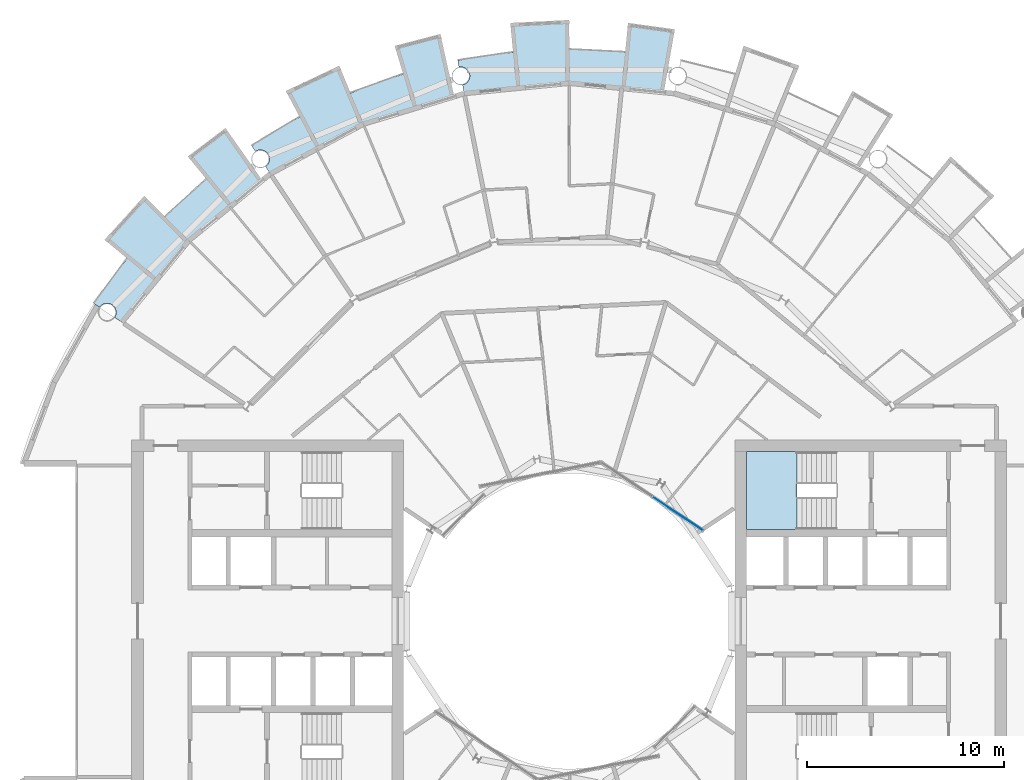
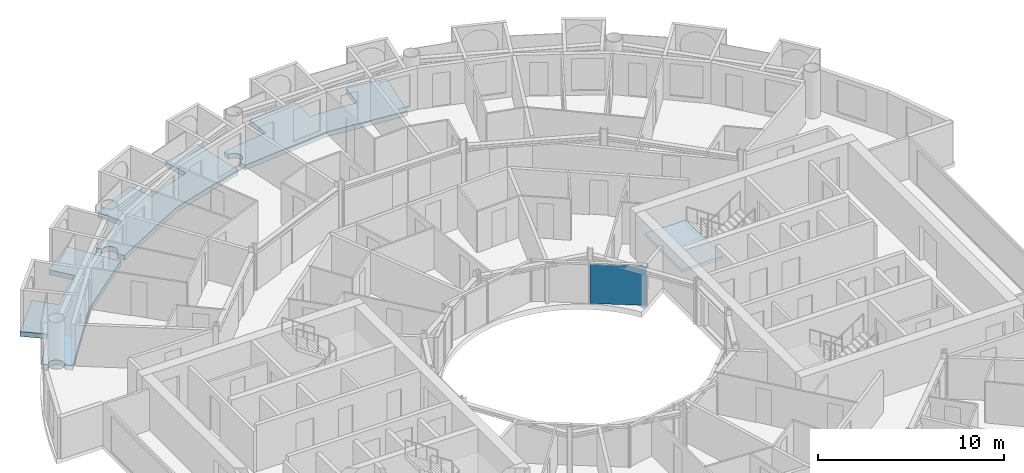
# One storey, part 12 of 27: 4 slabs, 1 plate, 2 elements without a shape of their own.
"""IFC4 building model written with IfcOpenShell, lengths in metres."""

from ifc_helpers import new_model, si_unit, direction, frame, origin, origin_2d, place, context, subcontext, project, spatial, polyline, rectangle, outline, extrude, material, layer, layer_set, type_object, element, aggregate, save


model = new_model("IFC4")

# Units and contexts
model_context = context("Model", 3, precision=1e-05, world=origin(), true_north=direction((0.0, 1.0)))
body_context = subcontext(model_context, "Body", "Model", "MODEL_VIEW")
ifc_project = project(units=[si_unit("LENGTHUNIT", "METRE"), si_unit("AREAUNIT", "SQUARE_METRE"), si_unit("VOLUMEUNIT", "CUBIC_METRE"), si_unit("PLANEANGLEUNIT", "RADIAN"), si_unit("MASSUNIT", "GRAM", prefix="KILO")], contexts=[model_context])

# Site, building, storey
site_placement = place(None, origin())
site = spatial("IfcSite", under=ifc_project, at=site_placement, CompositionType="ELEMENT")
building_placement = place(site_placement, origin())
building = spatial("IfcBuilding", under=site, at=building_placement, Name="Maasbend Ring Residences", CompositionType="ELEMENT")
storey_placement = place(building_placement, frame((0.0, 0.0, 111.64990234375)))
storey = spatial("IfcBuildingStorey", under=building, at=storey_placement, Name="L31", CompositionType="ELEMENT", Elevation=111.64990234375)

# Stair, slab
ifc_material_1 = material(Name="Concrete C40/50", Category="concrete")
stair_type = type_object("IfcStairType", Name="CORE STAIR 18 RISERS", PredefinedType="HALF_TURN_STAIR", material=ifc_material_1)
stair_placement = place(storey_placement, origin())
stair = element("IfcStair", 1, at=stair_placement, inside=storey, type_object=stair_type, Name="L31 Exit stair ST-E1", PredefinedType="HALF_TURN_STAIR")
ifc_material_2 = material(Name="Concrete C40/50", Category="concrete")
ifc_layer_1 = layer(ifc_material_2, 0.199951171875)
ifc_layer_set_1 = layer_set([ifc_layer_1], Name="Concrete C40/50")
slab_type_1 = type_object("IfcSlabType", Name="CORE STAIR LANDING 200", PredefinedType="LANDING", material=ifc_layer_set_1)
slab_1_placement = place(storey_placement, frame((0.0, 0.0, 1.3251953125)))
slab_1 = element("IfcSlab", 2, at=slab_1_placement, type_object=slab_type_1, Name="ST-E1 landing 1", PredefinedType="LANDING", context=body_context, shape_type="SweptSolid", body=[
    extrude(outline(polyline([(11.550048828125, 8.60009765625), (9.0, 8.60009765625), (9.0, 4.64990234375), (11.550048828125, 4.64990234375), (11.550048828125, 8.60009765625)])), origin(), (0.0, 0.0, 1.0), 0.199951171875),
])
aggregate(stair, [slab_1])

# Curtain wall, plate
ifc_material_3 = material(Name="Aluminium and clear glass", Category="aluminium")
ifc_layer_2 = layer(ifc_material_3, 0.179931640625)
ifc_layer_set_2 = layer_set([ifc_layer_2], Name="CW-W")
curtain_wall_type = type_object("IfcCurtainWallType", Name="CW-W", PredefinedType="NOTDEFINED", material=ifc_layer_set_2)
curtain_wall_placement = place(storey_placement, origin())
curtain_wall = element("IfcCurtainWall", 3, at=curtain_wall_placement, inside=storey, type_object=curtain_wall_type, Name="Well curtain wall N1", PredefinedType="NOTDEFINED")
ifc_material_4 = material(Name="Glass clear laminated", Category="glass")
ifc_layer_3 = layer(ifc_material_4, 0.031982421875)
ifc_layer_set_3 = layer_set([ifc_layer_3], Name="CWP-W")
plate_type = type_object("IfcPlateType", Name="CWP-W", PredefinedType="CURTAIN_PANEL", material=ifc_layer_set_3)
plate_placement = place(storey_placement, frame((5.51123046875, 5.44580078125, 0.0), z_axis=(0.0, 0.0, 1.0), x_axis=(-0.831469612303, 0.55557023302, 0.0)))
plate = element("IfcPlate", 4, at=plate_placement, type_object=plate_type, Name="Glass panel well face", PredefinedType="CURTAIN_PANEL", context=body_context, shape_type="SweptSolid", body=[
    extrude(rectangle(XDim=3.053955078125, YDim=0.031982421875, at=origin_2d()), origin(), (0.0, 0.0, 1.0), 2.580078125),
])
aggregate(curtain_wall, [plate])

# Slabs
ifc_material_5 = material(Name="Concrete C40/50", Category="concrete")
ifc_layer_4 = layer(ifc_material_5, 0.199951171875)
ifc_layer_set_4 = layer_set([ifc_layer_4], Name="Concrete C40/50")
slab_type_2 = type_object("IfcSlabType", Name="SL-LOGGIA", PredefinedType="FLOOR", material=ifc_layer_set_4)
slab_2_placement = place(storey_placement, frame((0.0, 0.0, -0.349853515625)))
element("IfcSlab", 5, at=slab_2_placement, inside=storey, type_object=slab_type_2, Name="Loggia floor 1", PredefinedType="FLOOR", context=body_context, shape_type="SweptSolid", body=[
    extrude(outline(polyline([(-14.5, 25.114990234375), (-13.6708984375, 25.574951171875), (-13.6708984375, 25.575927734375), (-13.6708984375, 25.575927734375), (-13.6708984375, 25.575927734375), (-13.6708984375, 25.575927734375), (-13.6708984375, 25.575927734375), (-13.6708984375, 25.575927734375), (-13.6708984375, 25.575927734375), (-13.6708984375, 25.575927734375), (-13.6708984375, 25.575927734375), (-13.6708984375, 25.575927734375), (-13.6708984375, 25.575927734375), (-13.6708984375, 25.575927734375), (-13.6708984375, 25.575927734375), (-13.6708984375, 25.575927734375), (-13.6708984375, 25.575927734375), (-13.6708984375, 25.575927734375), (-14.3779296875, 26.89892578125), (-14.3779296875, 26.89892578125), (-14.3779296875, 26.89892578125), (-11.672119140625, 28.177978515625), (-11.672119140625, 28.177978515625), (-11.672119140625, 28.177978515625), (-11.097900390625, 26.79296875), (-11.097900390625, 26.79296875), (-11.097900390625, 26.79296875), (-11.097900390625, 26.79296875), (-11.097900390625, 26.79296875), (-11.097900390625, 26.79296875), (-11.097900390625, 26.79296875), (-11.097900390625, 26.79296875), (-11.097900390625, 26.79296875), (-11.097900390625, 26.79296875), (-11.097900390625, 26.79296875), (-11.097900390625, 26.79296875), (-11.097900390625, 26.79296875), (-11.097900390625, 26.79296875), (-11.096923828125, 26.79296875), (-11.096923828125, 26.79296875), (-11.096923828125, 26.79296875), (-10.215087890625, 27.14111328125), (-10.215087890625, 27.14111328125), (-9.322021484375, 27.4609375), (-9.322021484375, 27.4609375), (-8.4189453125, 27.7509765625), (-8.4189453125, 27.7509765625), (-8.4189453125, 27.7509765625), (-8.4189453125, 27.7509765625), (-8.4189453125, 27.7509765625), (-8.4189453125, 27.7509765625), (-8.41796875, 27.7509765625), (-8.41796875, 27.7509765625), (-8.41796875, 27.7509765625), (-8.41796875, 27.7509765625), (-8.41796875, 27.7509765625), (-8.41796875, 27.751953125), (-8.41796875, 27.751953125), (-8.41796875, 27.751953125), (-8.41796875, 27.751953125), (-8.41796875, 27.751953125), (-8.41796875, 27.751953125), (-8.85400390625, 29.18701171875), (-8.85400390625, 29.18701171875), (-8.85400390625, 29.18701171875), (-6.5400390625, 29.791015625), (-6.5400390625, 29.791015625), (-6.5400390625, 29.791015625), (-5.843994140625, 26.617919921875), (-5.843994140625, 26.617919921875), (-5.843994140625, 26.617919921875), (-7.886962890625, 25.9990234375), (-10.447021484375, 25.221923828125), (-10.447021484375, 25.221923828125), (-10.447021484375, 25.221923828125), (-12.806884765625, 23.9609375), (-15.1669921875, 22.698974609375), (-15.1669921875, 22.698974609375), (-15.1669921875, 22.698974609375), (-15.4130859375, 23.06689453125), (-15.404052734375, 23.073974609375), (-15.39501953125, 23.080078125), (-15.385986328125, 23.0869140625), (-15.376953125, 23.093994140625), (-15.368896484375, 23.10107421875), (-15.360107421875, 23.10888671875), (-15.35205078125, 23.115966796875), (-15.343994140625, 23.1240234375), (-15.3359375, 23.132080078125), (-15.327880859375, 23.139892578125), (-15.321044921875, 23.14892578125), (-15.31396484375, 23.156982421875), (-15.306884765625, 23.166015625), (-15.300048828125, 23.175048828125), (-15.29296875, 23.18408203125), (-15.287109375, 23.194091796875), (-15.281005859375, 23.202880859375), (-15.27490234375, 23.2119140625), (-15.26904296875, 23.221923828125), (-15.263916015625, 23.23193359375), (-15.259033203125, 23.241943359375), (-15.25390625, 23.251953125), (-15.2490234375, 23.261962890625), (-15.2451171875, 23.27294921875), (-15.240966796875, 23.282958984375), (-15.237060546875, 23.29296875), (-15.23291015625, 23.303955078125), (-15.22998046875, 23.31494140625), (-15.22705078125, 23.325927734375), (-15.22412109375, 23.3359375), (-15.220947265625, 23.346923828125), (-15.218994140625, 23.35791015625), (-15.217041015625, 23.368896484375), (-15.215087890625, 23.3798828125), (-15.214111328125, 23.39111328125), (-15.2119140625, 23.403076171875), (-15.2109375, 23.4140625), (-15.2109375, 23.425048828125), (-15.2099609375, 23.43603515625), (-15.2099609375, 23.447021484375), (-15.2099609375, 23.458984375), (-15.2109375, 23.469970703125), (-15.2109375, 23.48095703125), (-15.2119140625, 23.491943359375), (-15.214111328125, 23.5029296875), (-15.215087890625, 23.513916015625), (-15.217041015625, 23.52587890625), (-15.218994140625, 23.537109375), (-15.220947265625, 23.548095703125), (-15.22412109375, 23.55810546875), (-15.22705078125, 23.569091796875), (-15.22998046875, 23.580078125), (-15.23291015625, 23.591064453125), (-15.237060546875, 23.60107421875), (-15.240966796875, 23.612060546875), (-15.2451171875, 23.6220703125), (-15.2490234375, 23.633056640625), (-15.25390625, 23.64306640625), (-15.259033203125, 23.653076171875), (-15.263916015625, 23.6630859375), (-15.26904296875, 23.673095703125), (-15.27490234375, 23.681884765625), (-15.281005859375, 23.69189453125), (-15.287109375, 23.700927734375), (-15.29296875, 23.7109375), (-15.300048828125, 23.719970703125), (-15.306884765625, 23.72900390625), (-15.31396484375, 23.737060546875), (-15.321044921875, 23.74609375), (-15.327880859375, 23.75390625), (-15.3359375, 23.762939453125), (-15.343994140625, 23.77099609375), (-15.35205078125, 23.778076171875), (-15.360107421875, 23.785888671875), (-15.368896484375, 23.79296875), (-15.376953125, 23.801025390625), (-15.385986328125, 23.80810546875), (-15.39501953125, 23.81396484375), (-15.404052734375, 23.821044921875), (-15.4130859375, 23.826904296875), (-15.423095703125, 23.8330078125), (-15.431884765625, 23.839111328125), (-15.44189453125, 23.844970703125), (-15.451904296875, 23.85009765625), (-15.4619140625, 23.85595703125), (-15.471923828125, 23.861083984375), (-15.48193359375, 23.864990234375), (-15.491943359375, 23.8701171875), (-15.5029296875, 23.8740234375), (-15.512939453125, 23.8779296875), (-15.52392578125, 23.881103515625), (-15.533935546875, 23.885009765625), (-15.544921875, 23.887939453125), (-15.555908203125, 23.89111328125), (-15.56689453125, 23.89306640625), (-15.577880859375, 23.89599609375), (-15.589111328125, 23.89794921875), (-15.60009765625, 23.89892578125), (-15.611083984375, 23.90087890625), (-15.6220703125, 23.902099609375), (-15.633056640625, 23.903076171875), (-15.64501953125, 23.904052734375), (-15.656005859375, 23.904052734375), (-15.6669921875, 23.904052734375), (-15.677978515625, 23.904052734375), (-15.68994140625, 23.904052734375), (-15.700927734375, 23.903076171875), (-15.7119140625, 23.902099609375), (-15.722900390625, 23.90087890625), (-15.73388671875, 23.89892578125), (-15.7451171875, 23.89794921875), (-15.756103515625, 23.89599609375), (-15.76708984375, 23.89306640625), (-15.778076171875, 23.89111328125), (-15.7890625, 23.887939453125), (-15.800048828125, 23.885009765625), (-15.81005859375, 23.881103515625), (-15.821044921875, 23.8779296875), (-15.83203125, 23.8740234375), (-15.842041015625, 23.8701171875), (-15.85205078125, 23.864990234375), (-15.862060546875, 23.861083984375), (-15.873046875, 23.85595703125), (-15.883056640625, 23.85009765625), (-15.89208984375, 23.844970703125), (-15.902099609375, 23.839111328125), (-15.912109375, 23.8330078125), (-15.9208984375, 23.826904296875), (-16.112060546875, 24.113037109375), (-16.112060546875, 24.113037109375), (-16.112060546875, 24.113037109375), (-15.31396484375, 24.626953125), (-15.31396484375, 24.626953125), (-14.5, 25.114990234375), (-14.5, 25.114990234375)])), origin(), (0.0, 0.0, 1.0), 0.320068359375),
])
slab_3_placement = place(storey_placement, frame((0.0, 0.0, -0.349853515625)))
element("IfcSlab", 6, at=slab_3_placement, inside=storey, type_object=slab_type_2, Name="Loggia floor 3", PredefinedType="FLOOR", context=body_context, shape_type="SweptSolid", body=[
    extrude(outline(polyline([(-3.784912109375, 28.751953125), (-2.843017578125, 28.860107421875), (-2.843017578125, 28.860107421875), (-2.843017578125, 28.860107421875), (-2.843017578125, 28.860107421875), (-2.843017578125, 28.860107421875), (-2.843017578125, 28.860107421875), (-2.843017578125, 28.860107421875), (-2.843017578125, 28.860107421875), (-2.843017578125, 28.860107421875), (-2.843017578125, 28.861083984375), (-2.843017578125, 28.861083984375), (-2.843017578125, 28.861083984375), (-2.843017578125, 28.861083984375), (-2.843017578125, 28.861083984375), (-2.843017578125, 28.861083984375), (-2.843017578125, 28.861083984375), (-2.843017578125, 28.861083984375), (-2.989990234375, 30.35302734375), (-2.989990234375, 30.35302734375), (-2.989990234375, 30.35302734375), (0.0, 30.5), (0.0, 30.5), (0.0, 30.5), (0.0, 29.0), (0.0, 29.0), (0.0, 29.0), (0.0, 29.0), (0.0, 29.0), (0.0, 29.0), (0.0, 29.0), (0.0, 29.0), (0.0, 29.0), (0.0, 29.0), (0.0, 29.0), (0.0, 29.0), (0.0, 29.0), (0.0, 29.0), (0.0, 29.0), (0.0, 29.0), (0.0, 29.0), (0.948974609375, 28.98388671875), (0.948974609375, 28.98388671875), (1.89697265625, 28.93798828125), (1.89697265625, 28.93798828125), (2.842041015625, 28.860107421875), (2.842041015625, 28.860107421875), (2.842041015625, 28.860107421875), (2.842041015625, 28.860107421875), (2.842041015625, 28.860107421875), (2.842041015625, 28.860107421875), (2.842041015625, 28.860107421875), (2.842041015625, 28.860107421875), (2.842041015625, 28.861083984375), (2.842041015625, 28.861083984375), (2.842041015625, 28.861083984375), (2.842041015625, 28.861083984375), (2.842041015625, 28.861083984375), (2.843017578125, 28.861083984375), (2.843017578125, 28.861083984375), (2.843017578125, 28.861083984375), (2.843017578125, 28.861083984375), (2.989990234375, 30.35302734375), (2.989990234375, 30.35302734375), (2.989990234375, 30.35302734375), (5.35791015625, 30.02587890625), (5.35791015625, 30.02587890625), (5.35791015625, 30.02587890625), (4.7880859375, 26.827880859375), (4.7880859375, 26.827880859375), (4.7880859375, 26.827880859375), (2.6630859375, 27.0380859375), (0.0, 27.300048828125), (0.0, 27.300048828125), (0.0, 27.300048828125), (-2.6630859375, 27.0380859375), (-5.325927734375, 26.77490234375), (-5.325927734375, 26.77490234375), (-5.325927734375, 26.77490234375), (-5.412109375, 27.2099609375), (-5.412109375, 27.2099609375), (-5.40087890625, 27.2119140625), (-5.389892578125, 27.215087890625), (-5.3798828125, 27.218017578125), (-5.368896484375, 27.220947265625), (-5.35791015625, 27.22412109375), (-5.347900390625, 27.22802734375), (-5.3369140625, 27.23193359375), (-5.326904296875, 27.236083984375), (-5.31591796875, 27.239990234375), (-5.305908203125, 27.2451171875), (-5.2958984375, 27.25), (-5.285888671875, 27.2548828125), (-5.27587890625, 27.260009765625), (-5.26708984375, 27.26611328125), (-5.257080078125, 27.27197265625), (-5.248046875, 27.278076171875), (-5.238037109375, 27.283935546875), (-5.22900390625, 27.291015625), (-5.219970703125, 27.298095703125), (-5.2119140625, 27.304931640625), (-5.202880859375, 27.31201171875), (-5.195068359375, 27.319091796875), (-5.18603515625, 27.326904296875), (-5.177978515625, 27.3349609375), (-5.1708984375, 27.343017578125), (-5.1630859375, 27.35107421875), (-5.155029296875, 27.360107421875), (-5.14794921875, 27.367919921875), (-5.14111328125, 27.376953125), (-5.134033203125, 27.385986328125), (-5.1279296875, 27.39501953125), (-5.1220703125, 27.404052734375), (-5.114990234375, 27.4140625), (-5.110107421875, 27.423095703125), (-5.10400390625, 27.43310546875), (-5.097900390625, 27.443115234375), (-5.093017578125, 27.452880859375), (-5.087890625, 27.462890625), (-5.083984375, 27.472900390625), (-5.0791015625, 27.48291015625), (-5.074951171875, 27.493896484375), (-5.071044921875, 27.50390625), (-5.068115234375, 27.514892578125), (-5.06396484375, 27.52490234375), (-5.06103515625, 27.535888671875), (-5.05810546875, 27.547119140625), (-5.055908203125, 27.55810546875), (-5.052978515625, 27.569091796875), (-5.051025390625, 27.580078125), (-5.049072265625, 27.591064453125), (-5.048095703125, 27.60205078125), (-5.047119140625, 27.613037109375), (-5.0458984375, 27.6240234375), (-5.044921875, 27.635986328125), (-5.044921875, 27.64697265625), (-5.044921875, 27.657958984375), (-5.044921875, 27.6689453125), (-5.044921875, 27.680908203125), (-5.0458984375, 27.69189453125), (-5.047119140625, 27.702880859375), (-5.048095703125, 27.714111328125), (-5.049072265625, 27.72509765625), (-5.051025390625, 27.736083984375), (-5.052978515625, 27.7470703125), (-5.055908203125, 27.758056640625), (-5.05810546875, 27.76904296875), (-5.06103515625, 27.780029296875), (-5.06396484375, 27.791015625), (-5.068115234375, 27.801025390625), (-5.071044921875, 27.81201171875), (-5.074951171875, 27.822998046875), (-5.0791015625, 27.8330078125), (-5.083984375, 27.843017578125), (-5.087890625, 27.85302734375), (-5.093017578125, 27.864013671875), (-5.097900390625, 27.8740234375), (-5.10400390625, 27.883056640625), (-5.110107421875, 27.89306640625), (-5.114990234375, 27.903076171875), (-5.1220703125, 27.912109375), (-5.1279296875, 27.9208984375), (-5.134033203125, 27.929931640625), (-5.14111328125, 27.93896484375), (-5.14794921875, 27.947998046875), (-5.155029296875, 27.95703125), (-5.1630859375, 27.965087890625), (-5.1708984375, 27.972900390625), (-5.177978515625, 27.98095703125), (-5.18603515625, 27.989013671875), (-5.195068359375, 27.9970703125), (-5.202880859375, 28.00390625), (-5.2119140625, 28.010986328125), (-5.219970703125, 28.01806640625), (-5.22900390625, 28.02490234375), (-5.238037109375, 28.031982421875), (-5.248046875, 28.0380859375), (-5.257080078125, 28.0439453125), (-5.26708984375, 28.050048828125), (-5.27587890625, 28.055908203125), (-5.285888671875, 28.06103515625), (-5.2958984375, 28.06591796875), (-5.305908203125, 28.071044921875), (-5.31591796875, 28.075927734375), (-5.326904296875, 28.080078125), (-5.3369140625, 28.083984375), (-5.347900390625, 28.087890625), (-5.35791015625, 28.092041015625), (-5.368896484375, 28.094970703125), (-5.3798828125, 28.09912109375), (-5.389892578125, 28.10107421875), (-5.40087890625, 28.10400390625), (-5.412109375, 28.10595703125), (-5.423095703125, 28.10791015625), (-5.43408203125, 28.110107421875), (-5.446044921875, 28.112060546875), (-5.45703125, 28.113037109375), (-5.468017578125, 28.114013671875), (-5.47900390625, 28.114990234375), (-5.489990234375, 28.114990234375), (-5.501953125, 28.114990234375), (-5.512939453125, 28.114990234375), (-5.52392578125, 28.114990234375), (-5.534912109375, 28.114013671875), (-5.5458984375, 28.113037109375), (-5.556884765625, 28.112060546875), (-5.569091796875, 28.110107421875), (-5.580078125, 28.10791015625), (-5.591064453125, 28.10595703125), (-5.591064453125, 28.10595703125), (-5.657958984375, 28.443115234375), (-5.657958984375, 28.443115234375), (-5.657958984375, 28.443115234375), (-4.72412109375, 28.613037109375), (-4.72412109375, 28.613037109375), (-3.784912109375, 28.751953125), (-3.784912109375, 28.751953125)])), origin(), (0.0, 0.0, 1.0), 0.320068359375),
])
slab_4_placement = place(storey_placement, frame((0.0, 0.0, -0.349853515625)))
element("IfcSlab", 7, at=slab_4_placement, inside=storey, type_object=slab_type_2, Name="Loggia floor 4", PredefinedType="FLOOR", context=body_context, shape_type="SweptSolid", body=[
    extrude(outline(polyline([(-23.007080078125, 17.654052734375), (-22.41796875, 18.39697265625), (-22.41796875, 18.39697265625), (-22.41796875, 18.39697265625), (-22.41796875, 18.39697265625), (-22.41796875, 18.39697265625), (-22.41796875, 18.39697265625), (-22.41796875, 18.39697265625), (-22.41796875, 18.39697265625), (-22.41796875, 18.39697265625), (-22.41796875, 18.39697265625), (-22.41796875, 18.39697265625), (-22.41796875, 18.39794921875), (-22.41796875, 18.39794921875), (-22.41796875, 18.39794921875), (-22.41796875, 18.39794921875), (-22.41796875, 18.39794921875), (-22.41796875, 18.39794921875), (-23.576904296875, 19.34912109375), (-23.576904296875, 19.34912109375), (-23.576904296875, 19.34912109375), (-21.56689453125, 21.56689453125), (-21.56689453125, 21.56689453125), (-21.56689453125, 21.56689453125), (-20.506103515625, 20.506103515625), (-20.506103515625, 20.506103515625), (-20.506103515625, 20.506103515625), (-20.506103515625, 20.506103515625), (-20.506103515625, 20.506103515625), (-20.506103515625, 20.506103515625), (-20.506103515625, 20.506103515625), (-20.506103515625, 20.506103515625), (-20.506103515625, 20.506103515625), (-20.506103515625, 20.506103515625), (-20.506103515625, 20.506103515625), (-20.506103515625, 20.506103515625), (-20.506103515625, 20.506103515625), (-20.506103515625, 20.506103515625), (-20.506103515625, 20.506103515625), (-20.506103515625, 20.506103515625), (-20.506103515625, 20.506103515625), (-19.823974609375, 21.166015625), (-19.823974609375, 21.166015625), (-19.12109375, 21.802978515625), (-19.12109375, 21.802978515625), (-18.39794921875, 22.4169921875), (-18.39794921875, 22.4169921875), (-18.39794921875, 22.4169921875), (-18.39794921875, 22.4169921875), (-18.39794921875, 22.4169921875), (-18.39794921875, 22.4169921875), (-18.39794921875, 22.4169921875), (-18.39794921875, 22.4169921875), (-18.39794921875, 22.4169921875), (-18.39794921875, 22.4169921875), (-18.39794921875, 22.4169921875), (-18.39794921875, 22.4169921875), (-18.39794921875, 22.41796875), (-18.39794921875, 22.41796875), (-18.39794921875, 22.41796875), (-18.39794921875, 22.41796875), (-18.39794921875, 22.41796875), (-19.34912109375, 23.576904296875), (-19.34912109375, 23.576904296875), (-19.34912109375, 23.576904296875), (-17.44189453125, 25.02001953125), (-17.44189453125, 25.02001953125), (-17.44189453125, 25.02001953125), (-15.5849609375, 22.35595703125), (-15.5849609375, 22.35595703125), (-15.5849609375, 22.35595703125), (-17.236083984375, 21.001953125), (-19.303955078125, 19.303955078125), (-19.303955078125, 19.303955078125), (-19.303955078125, 19.303955078125), (-21.001953125, 17.236083984375), (-22.698974609375, 15.1669921875), (-22.698974609375, 15.1669921875), (-22.698974609375, 15.1669921875), (-23.06689453125, 15.4130859375), (-23.06689453125, 15.4130859375), (-23.06103515625, 15.423095703125), (-23.054931640625, 15.431884765625), (-23.050048828125, 15.44189453125), (-23.0439453125, 15.451904296875), (-23.0390625, 15.4619140625), (-23.033935546875, 15.471923828125), (-23.030029296875, 15.48193359375), (-23.02490234375, 15.491943359375), (-23.02099609375, 15.5029296875), (-23.01708984375, 15.512939453125), (-23.012939453125, 15.52392578125), (-23.010009765625, 15.533935546875), (-23.007080078125, 15.544921875), (-23.00390625, 15.555908203125), (-23.001953125, 15.56689453125), (-22.9990234375, 15.577880859375), (-22.9970703125, 15.589111328125), (-22.9951171875, 15.60009765625), (-22.993896484375, 15.611083984375), (-22.992919921875, 15.6220703125), (-22.991943359375, 15.633056640625), (-22.990966796875, 15.64501953125), (-22.990966796875, 15.656005859375), (-22.989990234375, 15.6669921875), (-22.990966796875, 15.677978515625), (-22.990966796875, 15.68994140625), (-22.991943359375, 15.700927734375), (-22.992919921875, 15.7119140625), (-22.993896484375, 15.722900390625), (-22.9951171875, 15.73388671875), (-22.9970703125, 15.7451171875), (-22.9990234375, 15.756103515625), (-23.001953125, 15.76708984375), (-23.00390625, 15.778076171875), (-23.007080078125, 15.7890625), (-23.010009765625, 15.800048828125), (-23.012939453125, 15.81005859375), (-23.01708984375, 15.821044921875), (-23.02099609375, 15.83203125), (-23.02490234375, 15.842041015625), (-23.030029296875, 15.85205078125), (-23.033935546875, 15.862060546875), (-23.0390625, 15.873046875), (-23.0439453125, 15.883056640625), (-23.050048828125, 15.89208984375), (-23.054931640625, 15.902099609375), (-23.06103515625, 15.912109375), (-23.06689453125, 15.9208984375), (-23.073974609375, 15.929931640625), (-23.080078125, 15.93896484375), (-23.0869140625, 15.947998046875), (-23.093994140625, 15.95703125), (-23.10107421875, 15.966064453125), (-23.10888671875, 15.97412109375), (-23.115966796875, 15.98193359375), (-23.1240234375, 15.989990234375), (-23.132080078125, 15.998046875), (-23.139892578125, 16.006103515625), (-23.14892578125, 16.012939453125), (-23.156982421875, 16.02001953125), (-23.166015625, 16.027099609375), (-23.175048828125, 16.033935546875), (-23.18408203125, 16.041015625), (-23.194091796875, 16.047119140625), (-23.202880859375, 16.052978515625), (-23.2119140625, 16.05908203125), (-23.221923828125, 16.06494140625), (-23.23193359375, 16.070068359375), (-23.241943359375, 16.074951171875), (-23.251953125, 16.080078125), (-23.261962890625, 16.0849609375), (-23.27294921875, 16.089111328125), (-23.282958984375, 16.093017578125), (-23.29296875, 16.096923828125), (-23.303955078125, 16.10107421875), (-23.31494140625, 16.10400390625), (-23.325927734375, 16.10791015625), (-23.3359375, 16.110107421875), (-23.346923828125, 16.113037109375), (-23.35791015625, 16.114990234375), (-23.368896484375, 16.116943359375), (-23.3798828125, 16.118896484375), (-23.39111328125, 16.12109375), (-23.403076171875, 16.1220703125), (-23.4140625, 16.123046875), (-23.425048828125, 16.1240234375), (-23.43603515625, 16.1240234375), (-23.447021484375, 16.1240234375), (-23.458984375, 16.1240234375), (-23.469970703125, 16.1240234375), (-23.48095703125, 16.123046875), (-23.491943359375, 16.1220703125), (-23.5029296875, 16.12109375), (-23.513916015625, 16.118896484375), (-23.52587890625, 16.116943359375), (-23.537109375, 16.114990234375), (-23.548095703125, 16.113037109375), (-23.55810546875, 16.110107421875), (-23.569091796875, 16.10791015625), (-23.580078125, 16.10400390625), (-23.591064453125, 16.10107421875), (-23.60107421875, 16.096923828125), (-23.612060546875, 16.093017578125), (-23.6220703125, 16.089111328125), (-23.633056640625, 16.0849609375), (-23.64306640625, 16.080078125), (-23.653076171875, 16.074951171875), (-23.6630859375, 16.070068359375), (-23.673095703125, 16.06494140625), (-23.681884765625, 16.05908203125), (-23.69189453125, 16.052978515625), (-23.700927734375, 16.047119140625), (-23.7109375, 16.041015625), (-23.719970703125, 16.033935546875), (-23.72900390625, 16.027099609375), (-23.737060546875, 16.02001953125), (-23.74609375, 16.012939453125), (-23.75390625, 16.006103515625), (-23.762939453125, 15.998046875), (-23.77099609375, 15.989990234375), (-23.778076171875, 15.98193359375), (-23.785888671875, 15.97412109375), (-23.79296875, 15.966064453125), (-23.801025390625, 15.95703125), (-23.80810546875, 15.947998046875), (-23.81396484375, 15.93896484375), (-23.821044921875, 15.929931640625), (-23.826904296875, 15.9208984375), (-23.826904296875, 15.9208984375), (-24.113037109375, 16.112060546875), (-24.113037109375, 16.112060546875), (-24.113037109375, 16.112060546875), (-23.572998046875, 16.89208984375), (-23.572998046875, 16.89208984375), (-23.007080078125, 17.654052734375), (-23.007080078125, 17.654052734375)])), origin(), (0.0, 0.0, 1.0), 0.320068359375),
])

save(model, "model.ifc")
